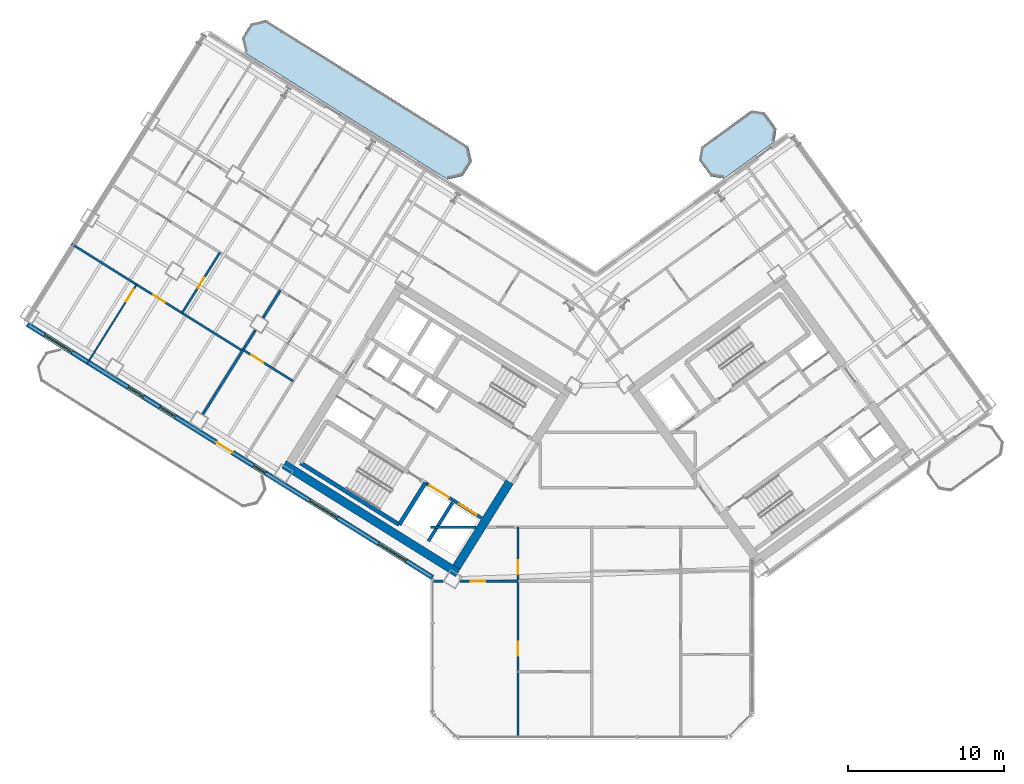
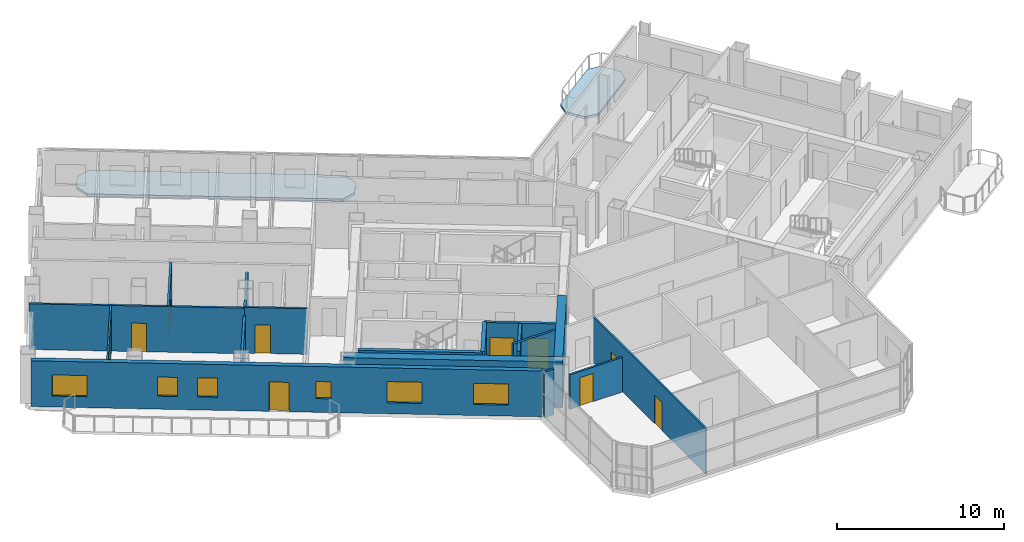
# One storey, part 11 of 21: 17 walls, 10 doors, 6 windows, 2 slabs, 16 openings.
"""IFC4 building model written with IfcOpenShell, lengths in metres."""

import ifcopenshell
import ifcopenshell.guid

model = None  # the IFC model being written
_history = None  # IfcOwnerHistory: only IFC2X3 demands one
_inside = {}  # id of a spatial element -> (the spatial element, [elements in it])
_under = {}  # id of a project, library or spatial element -> (it, [spatial elements below it])
_declared = {}  # id of a project -> (the project, [libraries it declares])
_typed = {}  # id of a type object -> (the type object, [elements of that type])
_made_of = {}  # id of a material, layer set ... -> (it, [elements and type objects made of it])


def new_model(schema):
    """Start an empty IFC model of exactly this schema.

    Asked for "IFC4X3", IfcOpenShell would pick the latest addendum, in which some entities
    have other attributes; the version numbers below select the first issue.
    IFC2X3 requires an IfcOwnerHistory on every rooted entity: one is made here for all.
    """
    global model, _history
    if schema == "IFC4X3":
        model = ifcopenshell.file(schema_version=(4, 3, 0, 0))
    else:
        model = ifcopenshell.file(schema=schema)
    _inside.clear()
    _under.clear()
    _declared.clear()
    _typed.clear()
    _made_of.clear()
    _history = None
    if model.schema == "IFC2X3":
        org = make("IfcOrganization", Name="unknown")
        user = make(
            "IfcPersonAndOrganization",
            ThePerson=make("IfcPerson", FamilyName="unknown"),
            TheOrganization=org,
        )
        app = make(
            "IfcApplication",
            ApplicationDeveloper=org,
            Version="unknown",
            ApplicationFullName="unknown",
            ApplicationIdentifier="unknown",
        )
        _history = make(
            "IfcOwnerHistory",
            OwningUser=user,
            OwningApplication=app,
            ChangeAction="ADDED",
            CreationDate=0,
        )
    return model


def make(cls, **values):
    """One entity of the class cls with the attributes given. An attribute that is None is left unset."""
    return model.create_entity(
        cls, **{name: value for name, value in values.items() if value is not None}
    )


def rooted(cls, **values):
    """An entity with a GlobalId (a new one), such as an element, a storey or a relation."""
    return make(cls, GlobalId=ifcopenshell.guid.new(), OwnerHistory=_history, **values)


def si_unit(unit_type, name, prefix=None):
    """IfcSIUnit, for example si_unit("LENGTHUNIT", "METRE", prefix="MILLI")."""
    return make("IfcSIUnit", UnitType=unit_type, Prefix=prefix, Name=name)


def assignment(units):
    """IfcUnitAssignment: the units of a project."""
    return None if units is None else make("IfcUnitAssignment", Units=units)


def point(xyz):
    """IfcCartesianPoint."""
    return None if xyz is None else make("IfcCartesianPoint", Coordinates=xyz)


def direction(xyz):
    """IfcDirection."""
    return None if xyz is None else make("IfcDirection", DirectionRatios=xyz)


def frame(location, z_axis=None, x_axis=None):
    """IfcAxis2Placement3D, a coordinate frame: its origin and axes. An axis left out is left unset."""
    return make(
        "IfcAxis2Placement3D",
        Location=point(location),
        Axis=direction(z_axis),
        RefDirection=direction(x_axis),
    )


def frame_2d(location, x_axis=None):
    """IfcAxis2Placement2D, a coordinate frame in the plane: its origin and x axis."""
    return make(
        "IfcAxis2Placement2D", Location=point(location), RefDirection=direction(x_axis)
    )


def origin():
    """The frame at (0, 0, 0) with its axes left unset."""
    return frame((0.0, 0.0, 0.0))


def place(relative_to, where):
    """IfcLocalPlacement: puts the frame where relative to a parent placement (None: the world)."""
    return make(
        "IfcLocalPlacement", PlacementRelTo=relative_to, RelativePlacement=where
    )


def context(
    kind, dimensions, precision=None, world=None, true_north=None, identifier=None
):
    """IfcGeometricRepresentationContext, for example the 3D "Model" context."""
    return make(
        "IfcGeometricRepresentationContext",
        ContextIdentifier=identifier,
        ContextType=kind,
        CoordinateSpaceDimension=dimensions,
        Precision=precision,
        WorldCoordinateSystem=world,
        TrueNorth=true_north,
    )


def subcontext(parent, identifier, kind, view, scale=None):
    """IfcGeometricRepresentationSubContext, for example "Body" below "Model"."""
    return make(
        "IfcGeometricRepresentationSubContext",
        ContextIdentifier=identifier,
        ContextType=kind,
        ParentContext=parent,
        TargetScale=scale,
        TargetView=view,
    )


def project(units=None, contexts=None):
    """IfcProject with its units and contexts."""
    return rooted(
        "IfcProject",
        Name="project",
        RepresentationContexts=contexts,
        UnitsInContext=assignment(units),
    )


def spatial(cls, under=None, at=None, **own):
    """A site, building, storey or space (cls), placed at a placement, below another one or the project."""
    s = rooted(cls, ObjectPlacement=at, **own)
    if under is not None:
        _under.setdefault(under.id(), (under, []))[1].append(s)
    return s


def polyline(points):
    """IfcPolyline through the points."""
    return make("IfcPolyline", Points=[point(p) for p in points])


def profile(cls, at=None, kind="AREA", **sizes):
    """A parametric profile (cls). Its sizes go by their IFC names, for example OverallWidth=200.0."""
    return make(cls, ProfileType=kind, Position=at, **sizes)


def rectangle(**sizes):
    """IfcRectangleProfileDef."""
    return profile("IfcRectangleProfileDef", **sizes)


def outline(outer, holes=None, kind="AREA"):
    """IfcArbitraryClosedProfileDef: a profile drawn as a closed curve; with holes, ...WithVoids."""
    if holes is None:
        return make("IfcArbitraryClosedProfileDef", ProfileType=kind, OuterCurve=outer)
    return make(
        "IfcArbitraryProfileDefWithVoids",
        ProfileType=kind,
        OuterCurve=outer,
        InnerCurves=holes,
    )


def extrude(swept, where, along, depth):
    """IfcExtrudedAreaSolid: the profile swept, set in the frame where, extruded along a direction by depth."""
    return make(
        "IfcExtrudedAreaSolid",
        SweptArea=swept,
        Position=where,
        ExtrudedDirection=direction(along),
        Depth=depth,
    )


def shape(context_of_items, identifier, shape_type, items):
    """IfcShapeRepresentation: the items that make up one representation, for example the "Body"."""
    return make(
        "IfcShapeRepresentation",
        ContextOfItems=context_of_items,
        RepresentationIdentifier=identifier,
        RepresentationType=shape_type,
        Items=items,
    )


def source(mapping_origin, context_of_items, identifier, shape_type, items):
    """IfcRepresentationMap: a shape defined once, which mapped items show again and again."""
    return make(
        "IfcRepresentationMap",
        MappingOrigin=mapping_origin,
        MappedRepresentation=shape(context_of_items, identifier, shape_type, items),
    )


def transform(
    local_origin,
    x_axis=None,
    y_axis=None,
    z_axis=None,
    scale=None,
    scale2=None,
    scale3=None,
    uniform=True,
):
    """IfcCartesianTransformationOperator3D, or its non-uniform kind. x_axis, y_axis, z_axis: its Axis1, 2, 3."""
    if uniform:
        return make(
            "IfcCartesianTransformationOperator3D",
            Axis1=direction(x_axis),
            Axis2=direction(y_axis),
            LocalOrigin=point(local_origin),
            Scale=scale,
            Axis3=direction(z_axis),
        )
    return make(
        "IfcCartesianTransformationOperator3DnonUniform",
        Axis1=direction(x_axis),
        Axis2=direction(y_axis),
        LocalOrigin=point(local_origin),
        Scale=scale,
        Axis3=direction(z_axis),
        Scale2=scale2,
        Scale3=scale3,
    )


def mapped(mapping_source, mapping_target):
    """IfcMappedItem: shows the shape of a source again, moved by a transform."""
    return make(
        "IfcMappedItem", MappingSource=mapping_source, MappingTarget=mapping_target
    )


def material(Name=None, Category=None):
    """IfcMaterial."""
    return make("IfcMaterial", Name=Name, Category=Category)


def layer(
    of_material, thickness, ventilated=None, Name=None, Category=None, Priority=None
):
    """IfcMaterialLayer: one layer of a wall or slab, of a material (None: an air gap)."""
    return make(
        "IfcMaterialLayer",
        Material=of_material,
        LayerThickness=thickness,
        IsVentilated=ventilated,
        Name=Name,
        Category=Category,
        Priority=Priority,
    )


def layer_set(layers, Name=None):
    """IfcMaterialLayerSet."""
    return make("IfcMaterialLayerSet", MaterialLayers=layers, LayerSetName=Name)


def made_of(thing, what):
    """Note that an element or type object is made of a material, layer set ...; save() writes the relation."""
    if what is not None:
        _made_of.setdefault(what.id(), (what, []))[1].append(thing)
    return thing


def type_object(cls, material=None, **own):
    """A type object (cls), such as IfcWallType, which elements share."""
    return made_of(rooted(cls, **own), material)


def element(
    cls,
    number,
    at=None,
    inside=None,
    cuts=None,
    type_object=None,
    material=None,
    context=None,
    identifier="Body",
    shape_type=None,
    held_by="IfcProductDefinitionShape",
    body=None,
    shapes=None,
    **own,
):
    """One element of the class cls, such as IfcWall. Its Tag is "e" and its number.

    at: its placement. inside: the storey or other place that contains it. cuts: it is an
    opening in that element (IfcRelVoidsElement). A single representation is given by context,
    identifier, shape_type and body (its items); several are given by shapes. held_by: the class
    of the entity that holds the representations. save() writes the other relations.
    """
    e = rooted(cls, Tag="e%d" % number, ObjectPlacement=at, **own)
    if body is not None:
        shapes = [shape(context, identifier, shape_type, body)]
    if shapes is not None:
        e.Representation = make(held_by, Representations=shapes)
    if inside is not None:
        _inside.setdefault(inside.id(), (inside, []))[1].append(e)
    if cuts is not None:
        rooted(
            "IfcRelVoidsElement", RelatingBuildingElement=cuts, RelatedOpeningElement=e
        )
    if type_object is not None:
        _typed.setdefault(type_object.id(), (type_object, []))[1].append(e)
    return made_of(e, material)


def fill(opening, filler):
    """IfcRelFillsElement: the door or window that sits in an opening."""
    return rooted(
        "IfcRelFillsElement",
        RelatingOpeningElement=opening,
        RelatedBuildingElement=filler,
    )


def aggregate(whole, parts):
    """IfcRelAggregates: a whole, such as a stair, and the parts it consists of."""
    return rooted("IfcRelAggregates", RelatingObject=whole, RelatedObjects=parts)


def save(model, path):
    """Write the relations noted so far, then the file.

    IfcRelAggregates (storeys below a building ...), IfcRelContainedInSpatialStructure (elements
    in a storey), IfcRelDefinesByType, IfcRelAssociatesMaterial and IfcRelDeclares: one each for
    every whole, place, type object, material and project.
    """
    for whole, parts in _under.values():
        aggregate(whole, parts)
    for where, things in _inside.values():
        rooted(
            "IfcRelContainedInSpatialStructure",
            RelatedElements=things,
            RelatingStructure=where,
        )
    for kind, things in _typed.values():
        rooted("IfcRelDefinesByType", RelatedObjects=things, RelatingType=kind)
    for what, things in _made_of.values():
        rooted("IfcRelAssociatesMaterial", RelatedObjects=things, RelatingMaterial=what)
    for by, libraries in _declared.values():
        rooted("IfcRelDeclares", RelatingContext=by, RelatedDefinitions=libraries)
    model.write(path)


model = new_model("IFC4")

# Units and contexts
model_context = context("Model", 3, precision=1e-05, world=origin(), true_north=direction((0.0, 1.0)))
body_context = subcontext(model_context, "Body", "Model", "MODEL_VIEW")
ifc_project = project(units=[si_unit("LENGTHUNIT", "METRE"), si_unit("AREAUNIT", "SQUARE_METRE"), si_unit("VOLUMEUNIT", "CUBIC_METRE"), si_unit("PLANEANGLEUNIT", "RADIAN"), si_unit("MASSUNIT", "GRAM", prefix="KILO")], contexts=[model_context])

# Site, building, storey
site_placement = place(None, origin())
site = spatial("IfcSite", under=ifc_project, at=site_placement, CompositionType="ELEMENT")
building_placement = place(site_placement, origin())
building = spatial("IfcBuilding", under=site, at=building_placement, Name="Tlacorven Tower", CompositionType="ELEMENT")
storey_placement = place(building_placement, frame((0.0, 0.0, 119.699951171875)))
storey = spatial("IfcBuildingStorey", under=building, at=storey_placement, Name="L30", CompositionType="ELEMENT", Elevation=119.699951171875)

# Slabs
ifc_material_1 = material(Name="Precast concrete C45/55", Category="concrete")
ifc_layer_1 = layer(ifc_material_1, 0.179931640625)
ifc_layer_set_1 = layer_set([ifc_layer_1], Name="Precast concrete C45/55")
slab_type = type_object("IfcSlabType", Name="SL-BAL-180", PredefinedType="USERDEFINED", material=ifc_layer_set_1)
slab_1_placement = place(storey_placement, frame((0.0, 0.0, -0.179931640625)))
element("IfcSlab", 1, at=slab_1_placement, inside=storey, type_object=slab_type, Name="L30 West Wing Balcony Ribbon IN", ObjectType="BALCONY SLAB", PredefinedType="USERDEFINED", context=body_context, shape_type="SweptSolid", body=[
    extrude(outline(polyline([(34.0419921875, 39.835693359375), (21.06689453125, 47.943359375), (20.102294921875, 47.720703125), (19.52197265625, 46.7919921875), (19.744873046875, 45.827392578125), (32.719970703125, 37.7197265625), (33.6845703125, 37.9423828125), (34.2646484375, 38.87109375), (34.0419921875, 39.835693359375)])), origin(), (0.0, 0.0, 1.0), 0.179931640625),
])
slab_2_placement = place(storey_placement, frame((0.0, 0.0, -0.179931640625)))
element("IfcSlab", 2, at=slab_2_placement, inside=storey, type_object=slab_type, Name="L30 East Wing Balcony Ribbon IN", ObjectType="BALCONY SLAB", PredefinedType="USERDEFINED", context=body_context, shape_type="SweptSolid", body=[
    extrude(outline(polyline([(50.433837890625, 37.77880859375), (53.669921875, 40.1298828125), (53.802490234375, 40.968017578125), (53.04150390625, 42.015625), (52.203369140625, 42.1484375), (48.96728515625, 39.79736328125), (48.83447265625, 38.959228515625), (49.595703125, 37.91162109375), (50.433837890625, 37.77880859375)])), origin(), (0.0, 0.0, 1.0), 0.179931640625),
])

# Walls
ifc_material_2 = material(Name="Concrete C60/75", Category="concrete")
ifc_layer_2 = layer(ifc_material_2, 0.550048828125)
ifc_layer_set_2 = layer_set([ifc_layer_2], Name="Concrete C60/75")
wall_type_1 = type_object("IfcWallType", Name="WL-COR-550", PredefinedType="SHEAR", material=ifc_layer_set_2)
wall_1_placement = place(storey_placement, frame((33.3662109375, 12.4765625, 0.0), z_axis=(0.0, 0.0, 1.0), x_axis=(-0.848047359947, 0.529920442413, 0.0)))
element("IfcWall", 3, at=wall_1_placement, inside=storey, type_object=wall_type_1, Name="L30 W core shear wall S2", PredefinedType="SHEAR", context=body_context, shape_type="SweptSolid", body=[
    extrude(rectangle(XDim=13.139892578125, YDim=0.550048828125, at=frame_2d((6.56982421875, 0.0))), origin(), (0.0, 0.0, 1.0), 3.35009765625),
])
wall_2_placement = place(storey_placement, frame((36.683349609375, 18.30419921875, 0.0), z_axis=(0.0, 0.0, 1.0), x_axis=(-0.529896466841, -0.848062341122, 0.0)))
element("IfcWall", 4, at=wall_2_placement, inside=storey, type_object=wall_type_1, Name="L30 W core end wall E1.2", PredefinedType="SHEAR", context=body_context, shape_type="SweptSolid", body=[
    extrude(rectangle(XDim=6.4248046875, YDim=0.550048828125, at=frame_2d((3.21240234375, 0.0))), origin(), (0.0, 0.0, 1.0), 3.35009765625),
])
ifc_material_3 = material(Name="Gypsum plasterboard acoustic partition", Category="gypsum")
ifc_layer_3 = layer(ifc_material_3, 0.159912109375)
ifc_layer_set_3 = layer_set([ifc_layer_3], Name="Gypsum plasterboard acoustic partition")
wall_type_2 = type_object("IfcWallType", Name="WL-DEM-160", PredefinedType="PARTITIONING", material=ifc_layer_set_3)
wall_3_placement = place(storey_placement, frame((21.9833984375, 30.614501953125, 0.0), z_axis=(0.0, 0.0, 1.0), x_axis=(-0.529956894714, -0.848024580862, 0.0)))
element("IfcWall", 5, at=wall_3_placement, inside=storey, type_object=wall_type_2, Name="L30 WN Demising Wall 1", PredefinedType="PARTITIONING", context=body_context, shape_type="SweptSolid", body=[
    extrude(rectangle(XDim=2.087890625, YDim=0.159912109375, at=frame_2d((1.0439453125, 0.0))), origin(), (0.0, 0.0, 1.0), 2.775146484375),
])
wall_4_placement = place(storey_placement, frame((20.38720703125, 28.060302734375, 0.0), z_axis=(0.0, 0.0, 1.0), x_axis=(-0.529902564924, -0.848058530814, 0.0)))
element("IfcWall", 6, at=wall_4_placement, inside=storey, type_object=wall_type_2, Name="L30 WN Demising Wall 1", PredefinedType="PARTITIONING", context=body_context, shape_type="SweptSolid", body=[
    extrude(rectangle(XDim=6.3759765625, YDim=0.159912109375, at=frame_2d((3.18798828125, 0.0))), origin(), (0.0, 0.0, 1.0), 2.775146484375),
])
wall_5_placement = place(storey_placement, frame((31.60009765625, 15.419921875, 0.0), z_axis=(0.0, 0.0, 1.0), x_axis=(1.0, 0.0, 0.0)))
element("IfcWall", 7, at=wall_5_placement, inside=storey, type_object=wall_type_2, Name="L30 Knuckle Corridor South Wall", PredefinedType="PARTITIONING", context=body_context, shape_type="SweptSolid", body=[
    extrude(rectangle(XDim=2.925048828125, YDim=0.159912109375, at=frame_2d((1.46240234375, 0.0))), origin(), (0.0, 0.0, 1.0), 3.340087890625),
])

# Wall, openings, door, windows
ifc_layer_4 = layer(ifc_material_1, 0.320068359375)
ifc_layer_set_4 = layer_set([ifc_layer_4], Name="Precast concrete C45/55")
wall_type_3 = type_object("IfcWallType", Name="WL-EXT-320", PredefinedType="STANDARD", material=ifc_layer_set_4)
wall_6_placement = place(storey_placement, frame((31.760009765625, 12.18310546875, 0.0), z_axis=(0.0, 0.0, 1.0), x_axis=(-0.848047074256, 0.529920899612, 0.0)))
wall_6 = element("IfcWall", 8, at=wall_6_placement, inside=storey, type_object=wall_type_3, Name="L30 Masonry-Frame Recessed Facade Wall 1", PredefinedType="STANDARD", context=body_context, shape_type="SweptSolid", body=[
    extrude(rectangle(XDim=30.652099609375, YDim=0.320068359375, at=frame_2d((15.326171875, 0.0))), origin(), (0.0, 0.0, 1.0), 3.35009765625),
])
opening_1_placement = place(wall_6_placement, frame((15.1533203125, 0.0, 0.0)))
opening_1 = element("IfcOpeningElement", 9, at=opening_1_placement, cuts=wall_6, Name="Opening D05", PredefinedType="OPENING", context=body_context, shape_type="SweptSolid", body=[
    extrude(rectangle(XDim=1.199951171875, YDim=2.14990234375, at=frame_2d((0.60009765625, 1.074951171875))), frame((0.0, 0.169921875, 0.0), z_axis=(0.0, -1.0, 0.0), x_axis=(1.0, 0.0, 0.0)), (0.0, 0.0, 1.0), 0.340087890625),
])
opening_2_placement = place(wall_6_placement, frame((2.002197265625, 0.0, 0.800048828125)))
opening_2 = element("IfcOpeningElement", 10, at=opening_2_placement, cuts=wall_6, Name="Opening WN04", PredefinedType="OPENING", context=body_context, shape_type="SweptSolid", body=[
    extrude(rectangle(XDim=2.10009765625, YDim=1.550048828125, at=frame_2d((1.050048828125, 0.77490234375))), frame((0.0, 0.169921875, 0.0), z_axis=(0.0, -1.0, 0.0), x_axis=(1.0, 0.0, 0.0)), (0.0, 0.0, 1.0), 0.340087890625),
])
opening_3_placement = place(wall_6_placement, frame((7.206298828125, 0.0, 0.800048828125)))
opening_3 = element("IfcOpeningElement", 11, at=opening_3_placement, cuts=wall_6, Name="Opening WN04", PredefinedType="OPENING", context=body_context, shape_type="SweptSolid", body=[
    extrude(rectangle(XDim=2.10009765625, YDim=1.550048828125, at=frame_2d((1.050048828125, 0.77490234375))), frame((0.0, 0.169921875, 0.0), z_axis=(0.0, -1.0, 0.0), x_axis=(1.0, 0.0, 0.0)), (0.0, 0.0, 1.0), 0.340087890625),
])
opening_4_placement = place(wall_6_placement, frame((12.648193359375, 0.0, 1.0)))
opening_4 = element("IfcOpeningElement", 12, at=opening_4_placement, cuts=wall_6, Name="Opening WN05", PredefinedType="OPENING", context=body_context, shape_type="SweptSolid", body=[
    extrude(rectangle(XDim=0.89990234375, YDim=1.25, at=frame_2d((0.449951171875, 0.625))), frame((0.0, 0.169921875, 0.0), z_axis=(0.0, -1.0, 0.0), x_axis=(1.0, 0.0, 0.0)), (0.0, 0.0, 1.0), 0.340087890625),
])
opening_5_placement = place(wall_6_placement, frame((19.458251953125, 0.0, 0.949951171875)))
opening_5 = element("IfcOpeningElement", 13, at=opening_5_placement, cuts=wall_6, Name="Opening WN03", PredefinedType="OPENING", context=body_context, shape_type="SweptSolid", body=[
    extrude(rectangle(XDim=1.199951171875, YDim=1.39990234375, at=frame_2d((0.60009765625, 0.699951171875))), frame((0.0, 0.169921875, 0.0), z_axis=(0.0, -1.0, 0.0), x_axis=(1.0, 0.0, 0.0)), (0.0, 0.0, 1.0), 0.340087890625),
])
opening_6_placement = place(wall_6_placement, frame((21.8583984375, 0.0, 0.949951171875)))
opening_6 = element("IfcOpeningElement", 14, at=opening_6_placement, cuts=wall_6, Name="Opening WN03", PredefinedType="OPENING", context=body_context, shape_type="SweptSolid", body=[
    extrude(rectangle(XDim=1.199951171875, YDim=1.39990234375, at=frame_2d((0.60009765625, 0.699951171875))), frame((0.0, 0.169921875, 0.0), z_axis=(0.0, -1.0, 0.0), x_axis=(1.0, 0.0, 0.0)), (0.0, 0.0, 1.0), 0.340087890625),
])
opening_7_placement = place(wall_6_placement, frame((27.265869140625, 0.0, 0.800048828125)))
opening_7 = element("IfcOpeningElement", 15, at=opening_7_placement, cuts=wall_6, Name="Opening WN04", PredefinedType="OPENING", context=body_context, shape_type="SweptSolid", body=[
    extrude(rectangle(XDim=2.10009765625, YDim=1.550048828125, at=frame_2d((1.050048828125, 0.77490234375))), frame((0.0, 0.169921875, 0.0), z_axis=(0.0, -1.0, 0.0), x_axis=(1.0, 0.0, 0.0)), (0.0, 0.0, 1.0), 0.340087890625),
])
ifc_material_4 = material(Name="Powder-coated aluminium and timber door", Category="wood")
door_type_1 = type_object("IfcDoorType", Name="DR-EXT-BALC-1200", OperationType="NOTDEFINED", PredefinedType="DOOR", material=ifc_material_4)
shared_shape_1 = source(origin(), body_context, "Body", "SweptSolid", [
    extrude(rectangle(XDim=1.199951171875, YDim=2.14990234375, at=frame_2d((0.60009765625, 1.074951171875))), frame((0.0, 0.02490234375, 0.0), z_axis=(0.0, -1.0, 0.0), x_axis=(1.0, 0.0, 0.0)), (0.0, 0.0, 1.0), 0.050048828125),
])
door_1_placement = place(opening_1_placement, origin())
door_1 = element("IfcDoor", 16, at=door_1_placement, inside=storey, type_object=door_type_1, Name="L30 Outdoor Access Door BAL-L30-W-OUT", OperationType="SINGLE_SWING_LEFT", OverallHeight=2.14990234375, OverallWidth=1.199951171875, PredefinedType="DOOR", context=body_context, shape_type="MappedRepresentation", body=[
    mapped(shared_shape_1, transform((0.0, 0.0, 0.0), scale=1.0)),
])
fill(opening_1, door_1)
ifc_material_5 = material(Name="Dark solar low-E double glazing in anodised aluminium frame", Category="aluminium")
window_type_1 = type_object("IfcWindowType", Name="WN-APT-2100X1750", PartitioningType="SINGLE_PANEL", PredefinedType="WINDOW", material=ifc_material_5)
shared_shape_2 = source(origin(), body_context, "Body", "SweptSolid", [
    extrude(rectangle(XDim=2.10009765625, YDim=1.550048828125, at=frame_2d((1.050048828125, 0.77490234375))), frame((0.0, 0.030029296875, 0.0), z_axis=(0.0, -1.0, 0.0), x_axis=(1.0, 0.0, 0.0)), (0.0, 0.0, 1.0), 0.06005859375),
])
window_1_placement = place(opening_2_placement, origin())
window_1 = element("IfcWindow", 17, at=window_1_placement, inside=storey, type_object=window_type_1, Name="L30 Recessed Masonry-Frame Window L30-01.1", OverallHeight=1.550048828125, OverallWidth=2.10009765625, PartitioningType="SINGLE_PANEL", PredefinedType="WINDOW", context=body_context, shape_type="MappedRepresentation", body=[
    mapped(shared_shape_2, transform((0.0, 0.0, 0.0), scale=1.0)),
])
fill(opening_2, window_1)
window_2_placement = place(opening_3_placement, origin())
window_2 = element("IfcWindow", 18, at=window_2_placement, inside=storey, type_object=window_type_1, Name="L30 Recessed Masonry-Frame Window L30-01.2", OverallHeight=1.550048828125, OverallWidth=2.10009765625, PartitioningType="SINGLE_PANEL", PredefinedType="WINDOW", context=body_context, shape_type="MappedRepresentation", body=[
    mapped(shared_shape_2, transform((0.0, 0.0, 0.0), scale=1.0)),
])
fill(opening_3, window_2)
window_3_placement = place(opening_7_placement, origin())
window_3 = element("IfcWindow", 19, at=window_3_placement, inside=storey, type_object=window_type_1, Name="L30 Recessed Masonry-Frame Window L30-01.6", OverallHeight=1.550048828125, OverallWidth=2.10009765625, PartitioningType="SINGLE_PANEL", PredefinedType="WINDOW", context=body_context, shape_type="MappedRepresentation", body=[
    mapped(shared_shape_2, transform((0.0, 0.0, 0.0), scale=1.0)),
])
fill(opening_7, window_3)
window_type_2 = type_object("IfcWindowType", Name="WN-APT-1200X1500", PartitioningType="SINGLE_PANEL", PredefinedType="WINDOW", material=ifc_material_5)
shared_shape_3 = source(origin(), body_context, "Body", "SweptSolid", [
    extrude(rectangle(XDim=1.199951171875, YDim=1.39990234375, at=frame_2d((0.60009765625, 0.699951171875))), frame((0.0, 0.030029296875, 0.0), z_axis=(0.0, -1.0, 0.0), x_axis=(1.0, 0.0, 0.0)), (0.0, 0.0, 1.0), 0.06005859375),
])
window_4_placement = place(opening_5_placement, origin())
window_4 = element("IfcWindow", 20, at=window_4_placement, inside=storey, type_object=window_type_2, Name="L30 Recessed Masonry-Frame Window L30-01.4", OverallHeight=1.39990234375, OverallWidth=1.199951171875, PartitioningType="SINGLE_PANEL", PredefinedType="WINDOW", context=body_context, shape_type="MappedRepresentation", body=[
    mapped(shared_shape_3, transform((0.0, 0.0, 0.0), scale=1.0)),
])
fill(opening_5, window_4)
window_5_placement = place(opening_6_placement, origin())
window_5 = element("IfcWindow", 21, at=window_5_placement, inside=storey, type_object=window_type_2, Name="L30 Recessed Masonry-Frame Window L30-01.5", OverallHeight=1.39990234375, OverallWidth=1.199951171875, PartitioningType="SINGLE_PANEL", PredefinedType="WINDOW", context=body_context, shape_type="MappedRepresentation", body=[
    mapped(shared_shape_3, transform((0.0, 0.0, 0.0), scale=1.0)),
])
fill(opening_6, window_5)
window_type_3 = type_object("IfcWindowType", Name="WN-APT-0900X1350", PartitioningType="SINGLE_PANEL", PredefinedType="WINDOW", material=ifc_material_5)
shared_shape_4 = source(origin(), body_context, "Body", "SweptSolid", [
    extrude(rectangle(XDim=0.89990234375, YDim=1.25, at=frame_2d((0.449951171875, 0.625))), frame((0.0, 0.030029296875, 0.0), z_axis=(0.0, -1.0, 0.0), x_axis=(1.0, 0.0, 0.0)), (0.0, 0.0, 1.0), 0.06005859375),
])
window_6_placement = place(opening_4_placement, origin())
window_6 = element("IfcWindow", 22, at=window_6_placement, inside=storey, type_object=window_type_3, Name="L30 Recessed Masonry-Frame Window L30-01.3", OverallHeight=1.25, OverallWidth=0.89990234375, PartitioningType="SINGLE_PANEL", PredefinedType="WINDOW", context=body_context, shape_type="MappedRepresentation", body=[
    mapped(shared_shape_4, transform((0.0, 0.0, 0.0), scale=1.0)),
])
fill(opening_4, window_6)

# Wall, opening, door
ifc_material_6 = material(Name="Gypsum plasterboard partition", Category="gypsum")
ifc_layer_5 = layer(ifc_material_6, 0.110107421875)
ifc_layer_set_5 = layer_set([ifc_layer_5], Name="Gypsum plasterboard partition")
wall_type_4 = type_object("IfcWallType", Name="WL-INT-110", PredefinedType="PARTITIONING", material=ifc_layer_set_5)
wall_7_placement = place(storey_placement, frame((12.763427734375, 30.97509765625, 0.0), z_axis=(0.0, 0.0, 1.0), x_axis=(-0.529947646893, -0.848030360042, 0.0)))
wall_7 = element("IfcWall", 23, at=wall_7_placement, inside=storey, type_object=wall_type_4, Name="L30 partition 55", PredefinedType="PARTITIONING", context=body_context, shape_type="SweptSolid", body=[
    extrude(rectangle(XDim=5.98974609375, YDim=0.110107421875, at=frame_2d((2.994873046875, 0.0))), origin(), (0.0, 0.0, 1.0), 3.340087890625),
])
opening_8_placement = place(wall_7_placement, frame((0.35009765625, 0.0, 0.0)))
opening_8 = element("IfcOpeningElement", 24, at=opening_8_placement, cuts=wall_7, Name="Opening D12", PredefinedType="OPENING", context=body_context, shape_type="SweptSolid", body=[
    extrude(rectangle(XDim=0.919921875, YDim=2.080078125, at=frame_2d((0.4599609375, 1.0400390625))), frame((0.0, 0.06494140625, 0.0), z_axis=(0.0, -1.0, 0.0), x_axis=(1.0, 0.0, 0.0)), (0.0, 0.0, 1.0), 0.130126953125),
])
door_type_2 = type_object("IfcDoorType", Name="DR-INT-ROOM-0920", OperationType="NOTDEFINED", PredefinedType="DOOR", material=ifc_material_4)
shared_shape_5 = source(origin(), body_context, "Body", "SweptSolid", [
    extrude(rectangle(XDim=0.919921875, YDim=2.080078125, at=frame_2d((0.4599609375, 1.0400390625))), frame((0.0, 0.02490234375, 0.0), z_axis=(0.0, -1.0, 0.0), x_axis=(1.0, 0.0, 0.0)), (0.0, 0.0, 1.0), 0.050048828125),
])
door_2_placement = place(opening_8_placement, origin())
door_2 = element("IfcDoor", 25, at=door_2_placement, inside=storey, type_object=door_type_2, Name="L30 door 025", OperationType="SINGLE_SWING_RIGHT", OverallHeight=2.080078125, OverallWidth=0.919921875, PredefinedType="DOOR", context=body_context, shape_type="MappedRepresentation", body=[
    mapped(shared_shape_5, transform((0.0, 0.0, 0.0), scale=1.0)),
])
fill(opening_8, door_2)

# Wall, openings, doors
wall_8_placement = place(storey_placement, frame((37.221923828125, 1.9599609375, 0.0), z_axis=(0.0, 0.0, 1.0), x_axis=(0.0, 1.0, 0.0)))
wall_8 = element("IfcWall", 26, at=wall_8_placement, inside=storey, type_object=wall_type_4, Name="L30 partition 78", PredefinedType="PARTITIONING", context=body_context, shape_type="SweptSolid", body=[
    extrude(rectangle(XDim=13.4599609375, YDim=0.110107421875, at=frame_2d((6.72998046875, 0.0))), origin(), (0.0, 0.0, 1.0), 3.340087890625),
])
opening_9_placement = place(wall_8_placement, frame((5.199951171875, 0.0, 0.0)))
opening_9 = element("IfcOpeningElement", 27, at=opening_9_placement, cuts=wall_8, Name="Opening D12", PredefinedType="OPENING", context=body_context, shape_type="SweptSolid", body=[
    extrude(rectangle(XDim=0.919921875, YDim=2.080078125, at=frame_2d((0.4599609375, 1.0400390625))), frame((0.0, 0.06494140625, 0.0), z_axis=(0.0, -1.0, 0.0), x_axis=(1.0, 0.0, 0.0)), (0.0, 0.0, 1.0), 0.130126953125),
])
opening_10_placement = place(wall_8_placement, frame((10.449951171875, 0.0, 0.0)))
opening_10 = element("IfcOpeningElement", 28, at=opening_10_placement, cuts=wall_8, Name="Opening D13", PredefinedType="OPENING", context=body_context, shape_type="SweptSolid", body=[
    extrude(rectangle(XDim=0.8798828125, YDim=2.080078125, at=frame_2d((0.43994140625, 1.0400390625))), frame((0.0, 0.06494140625, 0.0), z_axis=(0.0, -1.0, 0.0), x_axis=(1.0, 0.0, 0.0)), (0.0, 0.0, 1.0), 0.130126953125),
])
door_type_3 = type_object("IfcDoorType", Name="DR-INT-WET-0880", OperationType="NOTDEFINED", PredefinedType="DOOR", material=ifc_material_4)
shared_shape_6 = source(origin(), body_context, "Body", "SweptSolid", [
    extrude(rectangle(XDim=0.8798828125, YDim=2.080078125, at=frame_2d((0.43994140625, 1.0400390625))), frame((0.0, 0.02490234375, 0.0), z_axis=(0.0, -1.0, 0.0), x_axis=(1.0, 0.0, 0.0)), (0.0, 0.0, 1.0), 0.050048828125),
])
door_3_placement = place(opening_10_placement, origin())
door_3 = element("IfcDoor", 29, at=door_3_placement, inside=storey, type_object=door_type_3, Name="L30 door 050", OperationType="SINGLE_SWING_LEFT", OverallHeight=2.080078125, OverallWidth=0.8798828125, PredefinedType="DOOR", context=body_context, shape_type="MappedRepresentation", body=[
    mapped(shared_shape_6, transform((0.0, 0.0, 0.0), scale=1.0)),
])
fill(opening_10, door_3)
door_4_placement = place(opening_9_placement, origin())
door_4 = element("IfcDoor", 30, at=door_4_placement, inside=storey, type_object=door_type_2, Name="L30 door 046", OperationType="SINGLE_SWING_LEFT", OverallHeight=2.080078125, OverallWidth=0.919921875, PredefinedType="DOOR", context=body_context, shape_type="MappedRepresentation", body=[
    mapped(shared_shape_5, transform((0.0, 0.0, 0.0), scale=1.0)),
])
fill(opening_9, door_4)

# Wall, opening, door
ifc_material_7 = material(Name="Moisture-resistant gypsum plumbing wall", Category="gypsum")
ifc_layer_6 = layer(ifc_material_7, 0.139892578125)
ifc_layer_set_6 = layer_set([ifc_layer_6], Name="Moisture-resistant gypsum plumbing wall")
wall_type_5 = type_object("IfcWallType", Name="WL-PLM-140", PredefinedType="PLUMBINGWALL", material=ifc_layer_set_6)
wall_9_placement = place(storey_placement, frame((22.807373046875, 24.781494140625, 0.0), z_axis=(0.0, 0.0, 1.0), x_axis=(-0.84803087207, 0.529946827537, 0.0)))
wall_9 = element("IfcWall", 31, at=wall_9_placement, inside=storey, type_object=wall_type_5, Name="L30 partition 51", PredefinedType="PLUMBINGWALL", context=body_context, shape_type="SweptSolid", body=[
    extrude(rectangle(XDim=3.7900390625, YDim=0.139892578125, at=frame_2d((1.89501953125, 0.0))), origin(), (0.0, 0.0, 1.0), 3.340087890625),
])
opening_11_placement = place(wall_9_placement, frame((2.22998046875, 0.0, 0.0)))
opening_11 = element("IfcOpeningElement", 32, at=opening_11_placement, cuts=wall_9, Name="Opening D12", PredefinedType="OPENING", context=body_context, shape_type="SweptSolid", body=[
    extrude(rectangle(XDim=0.919921875, YDim=2.080078125, at=frame_2d((0.4599609375, 1.0400390625))), frame((0.0, 0.080078125, 0.0), z_axis=(0.0, -1.0, 0.0), x_axis=(1.0, 0.0, 0.0)), (0.0, 0.0, 1.0), 0.159912109375),
])
door_5_placement = place(opening_11_placement, origin())
door_5 = element("IfcDoor", 33, at=door_5_placement, inside=storey, type_object=door_type_2, Name="L30 door 023", OperationType="SINGLE_SWING_RIGHT", OverallHeight=2.080078125, OverallWidth=0.919921875, PredefinedType="DOOR", context=body_context, shape_type="MappedRepresentation", body=[
    mapped(shared_shape_5, transform((0.0, 0.0, 0.0), scale=1.0)),
])
fill(opening_11, door_5)

wall_10_placement = place(storey_placement, frame((19.556396484375, 26.73046875, 0.0), z_axis=(0.0, 0.0, 1.0), x_axis=(-0.848043949058, 0.52992590092, 0.0)))
wall_10 = element("IfcWall", 34, at=wall_10_placement, inside=storey, type_object=wall_type_5, Name="L30 partition 53", PredefinedType="PLUMBINGWALL", context=body_context, shape_type="SweptSolid", body=[
    extrude(rectangle(XDim=12.920166015625, YDim=0.139892578125, at=frame_2d((6.4599609375, 0.0))), origin(), (0.0, 0.0, 1.0), 3.340087890625),
])
opening_12_placement = place(wall_10_placement, frame((5.84912109375, 0.0, 0.0)))
opening_12 = element("IfcOpeningElement", 35, at=opening_12_placement, cuts=wall_10, Name="Opening D12", PredefinedType="OPENING", context=body_context, shape_type="SweptSolid", body=[
    extrude(rectangle(XDim=0.919921875, YDim=2.080078125, at=frame_2d((0.4599609375, 1.0400390625))), frame((0.0, 0.080078125, 0.0), z_axis=(0.0, -1.0, 0.0), x_axis=(1.0, 0.0, 0.0)), (0.0, 0.0, 1.0), 0.159912109375),
])
door_6_placement = place(opening_12_placement, origin())
door_6 = element("IfcDoor", 36, at=door_6_placement, inside=storey, type_object=door_type_2, Name="L30 door 027", OperationType="SINGLE_SWING_RIGHT", OverallHeight=2.080078125, OverallWidth=0.919921875, PredefinedType="DOOR", context=body_context, shape_type="MappedRepresentation", body=[
    mapped(shared_shape_5, transform((0.0, 0.0, 0.0), scale=1.0)),
])
fill(opening_12, door_6)

wall_11_placement = place(storey_placement, frame((18.109375, 33.035400390625, 0.0), z_axis=(0.0, 0.0, 1.0), x_axis=(-0.529893526057, -0.848064178611, 0.0)))
wall_11 = element("IfcWall", 37, at=wall_11_placement, inside=storey, type_object=wall_type_5, Name="L30 partition 54", PredefinedType="PLUMBINGWALL", context=body_context, shape_type="SweptSolid", body=[
    extrude(rectangle(XDim=4.580078125, YDim=0.139892578125, at=frame_2d((2.2900390625, 0.0))), origin(), (0.0, 0.0, 1.0), 3.340087890625),
])
opening_13_placement = place(wall_11_placement, frame((1.89990234375, 0.0, 0.0)))
opening_13 = element("IfcOpeningElement", 38, at=opening_13_placement, cuts=wall_11, Name="Opening D22", PredefinedType="OPENING", context=body_context, shape_type="SweptSolid", body=[
    extrude(rectangle(XDim=0.780029296875, YDim=2.050048828125, at=frame_2d((0.39013671875, 1.02490234375))), frame((0.0, 0.080078125, 0.0), z_axis=(0.0, -1.0, 0.0), x_axis=(1.0, 0.0, 0.0)), (0.0, 0.0, 1.0), 0.159912109375),
])
door_type_4 = type_object("IfcDoorType", Name="DR-INT-WET-0780", OperationType="NOTDEFINED", PredefinedType="DOOR", material=ifc_material_4)
shared_shape_7 = source(origin(), body_context, "Body", "SweptSolid", [
    extrude(rectangle(XDim=0.780029296875, YDim=2.050048828125, at=frame_2d((0.39013671875, 1.02490234375))), frame((0.0, 0.02490234375, 0.0), z_axis=(0.0, -1.0, 0.0), x_axis=(1.0, 0.0, 0.0)), (0.0, 0.0, 1.0), 0.050048828125),
])
door_7_placement = place(opening_13_placement, origin())
door_7 = element("IfcDoor", 39, at=door_7_placement, inside=storey, type_object=door_type_4, Name="L30 door 028", OperationType="SINGLE_SWING_LEFT", OverallHeight=2.050048828125, OverallWidth=0.780029296875, PredefinedType="DOOR", context=body_context, shape_type="MappedRepresentation", body=[
    mapped(shared_shape_7, transform((0.0, 0.0, 0.0), scale=1.0)),
])
fill(opening_13, door_7)

# Wall
wall_12_placement = place(storey_placement, frame((31.739990234375, 11.949951171875, 0.0), z_axis=(0.0, 0.0, 1.0), x_axis=(1.0, 0.0, 0.0)))
element("IfcWall", 40, at=wall_12_placement, inside=storey, type_object=wall_type_5, Name="L30 partition 79", PredefinedType="PLUMBINGWALL", context=body_context, shape_type="SweptSolid", body=[
    extrude(rectangle(XDim=0.67578125, YDim=0.139892578125, at=frame_2d((0.337890625, 0.0))), origin(), (0.0, 0.0, 1.0), 3.340087890625),
])

# Wall, opening, door
wall_13_placement = place(storey_placement, frame((33.50537109375, 11.949951171875, 0.0), z_axis=(0.0, 0.0, 1.0), x_axis=(1.0, 0.0, 0.0)))
wall_13 = element("IfcWall", 41, at=wall_13_placement, inside=storey, type_object=wall_type_5, Name="L30 partition 79", PredefinedType="PLUMBINGWALL", context=body_context, shape_type="SweptSolid", body=[
    extrude(rectangle(XDim=3.716552734375, YDim=0.139892578125, at=frame_2d((1.8583984375, 0.0))), origin(), (0.0, 0.0, 1.0), 2.525146484375),
])
opening_14_placement = place(wall_13_placement, frame((0.695556640625, 0.0, 0.0)))
opening_14 = element("IfcOpeningElement", 42, at=opening_14_placement, cuts=wall_13, Name="Opening D12", PredefinedType="OPENING", context=body_context, shape_type="SweptSolid", body=[
    extrude(rectangle(XDim=0.919921875, YDim=2.080078125, at=frame_2d((0.4599609375, 1.0400390625))), frame((0.0, 0.080078125, 0.0), z_axis=(0.0, -1.0, 0.0), x_axis=(1.0, 0.0, 0.0)), (0.0, 0.0, 1.0), 0.159912109375),
])
door_8_placement = place(opening_14_placement, frame((0.919921875, 0.0, 0.0), z_axis=(0.0, 0.0, 1.0), x_axis=(-1.0, 0.0, 0.0)))
door_8 = element("IfcDoor", 43, at=door_8_placement, inside=storey, type_object=door_type_2, Name="L30 door 049", OperationType="SINGLE_SWING_RIGHT", OverallHeight=2.080078125, OverallWidth=0.919921875, PredefinedType="DOOR", context=body_context, shape_type="MappedRepresentation", body=[
    mapped(shared_shape_5, transform((0.0, 0.0, 0.0), scale=1.0)),
])
fill(opening_14, door_8)

# Wall, openings, doors
ifc_material_8 = material(Name="Concrete C40/50", Category="concrete")
ifc_layer_7 = layer(ifc_material_8, 0.199951171875)
ifc_layer_set_7 = layer_set([ifc_layer_7], Name="Concrete C40/50")
wall_type_6 = type_object("IfcWallType", Name="WL-SHF-200", PredefinedType="STANDARD", material=ifc_layer_set_7)
wall_14_placement = place(storey_placement, frame((34.890625, 16.0048828125, 0.0), z_axis=(0.0, 0.0, 1.0), x_axis=(-0.848062873452, 0.529895614884, 0.0)))
wall_14 = element("IfcWall", 44, at=wall_14_placement, inside=storey, type_object=wall_type_6, Name="L30 Core W Firefighting Lift Shaft Front Wall", PredefinedType="STANDARD", context=body_context, shape_type="SweptSolid", body=[
    extrude(rectangle(XDim=4.248046875, YDim=0.199951171875, at=frame_2d((2.1240234375, 0.0))), origin(), (0.0, 0.0, 1.0), 3.340087890625),
])
opening_15_placement = place(wall_14_placement, frame((0.39794921875, 0.0, 0.0)))
opening_15 = element("IfcOpeningElement", 45, at=opening_15_placement, cuts=wall_14, Name="Opening LD03", PredefinedType="OPENING", context=body_context, shape_type="SweptSolid", body=[
    extrude(rectangle(XDim=1.300048828125, YDim=2.199951171875, at=frame_2d((0.64990234375, 1.10009765625))), frame((0.0, 0.10986328125, 0.0), z_axis=(0.0, -1.0, 0.0), x_axis=(1.0, 0.0, 0.0)), (0.0, 0.0, 1.0), 0.219970703125),
])
opening_16_placement = place(wall_14_placement, frame((2.472900390625, 0.0, 0.0)))
opening_16 = element("IfcOpeningElement", 46, at=opening_16_placement, cuts=wall_14, Name="Opening LD04", PredefinedType="OPENING", context=body_context, shape_type="SweptSolid", body=[
    extrude(rectangle(XDim=1.449951171875, YDim=2.25, at=frame_2d((0.72509765625, 1.125))), frame((0.0, 0.10986328125, 0.0), z_axis=(0.0, -1.0, 0.0), x_axis=(1.0, 0.0, 0.0)), (0.0, 0.0, 1.0), 0.219970703125),
])
ifc_material_9 = material(Name="Fire-rated steel door assembly", Category="steel")
door_type_5 = type_object("IfcDoorType", Name="DR-LFT-SLID-1300", OperationType="DOUBLE_DOOR_SLIDING", PredefinedType="DOOR", material=ifc_material_9)
shared_shape_8 = source(origin(), body_context, "Body", "SweptSolid", [
    extrude(rectangle(XDim=1.300048828125, YDim=2.199951171875, at=frame_2d((0.64990234375, 1.10009765625))), frame((0.0, 0.02490234375, 0.0), z_axis=(0.0, -1.0, 0.0), x_axis=(1.0, 0.0, 0.0)), (0.0, 0.0, 1.0), 0.050048828125),
])
door_9_placement = place(opening_15_placement, origin())
door_9 = element("IfcDoor", 47, at=door_9_placement, inside=storey, type_object=door_type_5, Name="L30 Lift FFL-W1 Sliding Landing Door", OperationType="DOUBLE_DOOR_SLIDING", OverallHeight=2.199951171875, OverallWidth=1.300048828125, PredefinedType="DOOR", context=body_context, shape_type="MappedRepresentation", body=[
    mapped(shared_shape_8, transform((0.0, 0.0, 0.0), scale=1.0)),
])
fill(opening_15, door_9)
door_type_6 = type_object("IfcDoorType", Name="DR-LFT-SLID-1450", OperationType="DOUBLE_DOOR_SLIDING", PredefinedType="DOOR", material=ifc_material_9)
shared_shape_9 = source(origin(), body_context, "Body", "SweptSolid", [
    extrude(rectangle(XDim=1.449951171875, YDim=2.25, at=frame_2d((0.72509765625, 1.125))), frame((0.0, 0.02490234375, 0.0), z_axis=(0.0, -1.0, 0.0), x_axis=(1.0, 0.0, 0.0)), (0.0, 0.0, 1.0), 0.050048828125),
])
door_10_placement = place(opening_16_placement, origin())
door_10 = element("IfcDoor", 48, at=door_10_placement, inside=storey, type_object=door_type_6, Name="L30 Lift SVL-W1 Sliding Landing Door", OperationType="DOUBLE_DOOR_SLIDING", OverallHeight=2.25, OverallWidth=1.449951171875, PredefinedType="DOOR", context=body_context, shape_type="MappedRepresentation", body=[
    mapped(shared_shape_9, transform((0.0, 0.0, 0.0), scale=1.0)),
])
fill(opening_16, door_10)

# Walls
wall_15_placement = place(storey_placement, frame((33.02880859375, 17.003173828125, 0.0), z_axis=(0.0, 0.0, 1.0), x_axis=(-0.529916267533, -0.848049968695, 0.0)))
element("IfcWall", 49, at=wall_15_placement, inside=storey, type_object=wall_type_6, Name="L30 partition 14", PredefinedType="STANDARD", context=body_context, shape_type="SweptSolid", body=[
    extrude(rectangle(XDim=2.919921875, YDim=0.199951171875, at=frame_2d((1.4599609375, 0.0))), origin(), (0.0, 0.0, 1.0), 3.340087890625),
])
ifc_material_10 = material(Name="Concrete C50/60", Category="concrete")
ifc_layer_8 = layer(ifc_material_10, 0.260009765625)
ifc_layer_set_8 = layer_set([ifc_layer_8], Name="Concrete C50/60")
wall_type_7 = type_object("IfcWallType", Name="WL-STW-260", PredefinedType="SHEAR", material=ifc_layer_set_8)
wall_16_placement = place(storey_placement, frame((29.60498046875, 15.581298828125, 0.0), z_axis=(0.0, 0.0, 1.0), x_axis=(-0.848036911448, 0.529937163087, 0.0)))
element("IfcWall", 50, at=wall_16_placement, inside=storey, type_object=wall_type_7, Name="L30 Stair W1 Far Shear Wall", PredefinedType="SHEAR", context=body_context, shape_type="SweptSolid", body=[
    extrude(rectangle(XDim=7.4599609375, YDim=0.260009765625, at=frame_2d((3.72998046875, 0.0))), origin(), (0.0, 0.0, 1.0), 3.35009765625),
])
wall_17_placement = place(storey_placement, frame((31.2880859375, 18.255859375, 0.0), z_axis=(0.0, 0.0, 1.0), x_axis=(-0.529943379326, -0.848033026897, 0.0)))
element("IfcWall", 51, at=wall_17_placement, inside=storey, type_object=wall_type_7, Name="L30 Stair W1 West Shear Wall", PredefinedType="SHEAR", context=body_context, shape_type="SweptSolid", body=[
    extrude(rectangle(XDim=3.159912109375, YDim=0.260009765625, at=frame_2d((1.580078125, 0.0))), origin(), (0.0, 0.0, 1.0), 3.35009765625),
])

save(model, "model.ifc")
